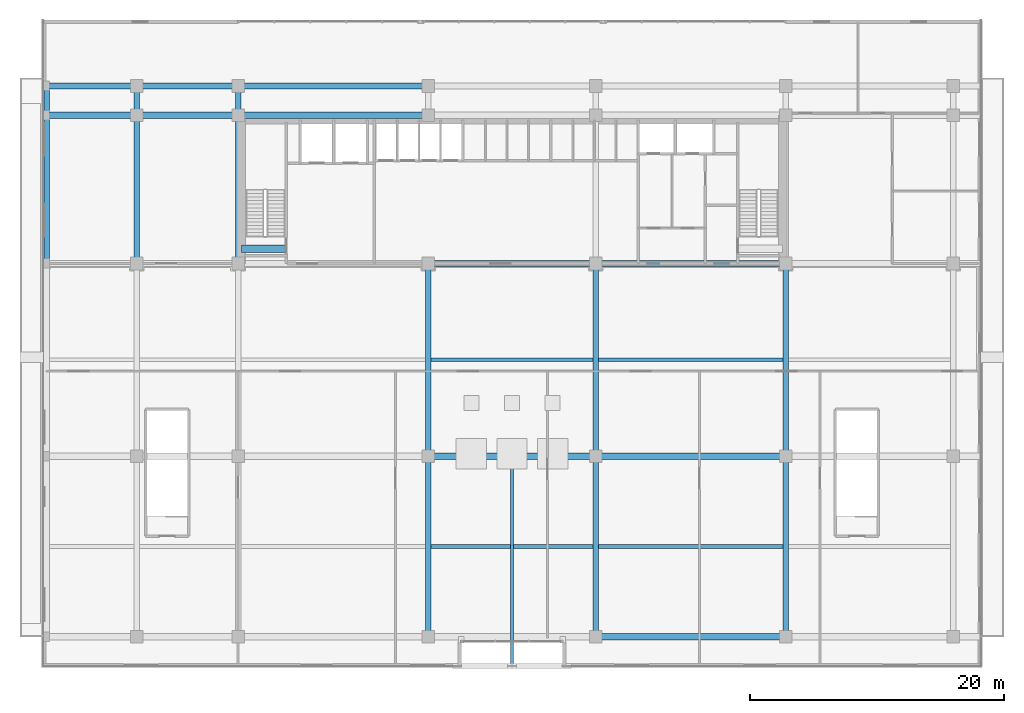
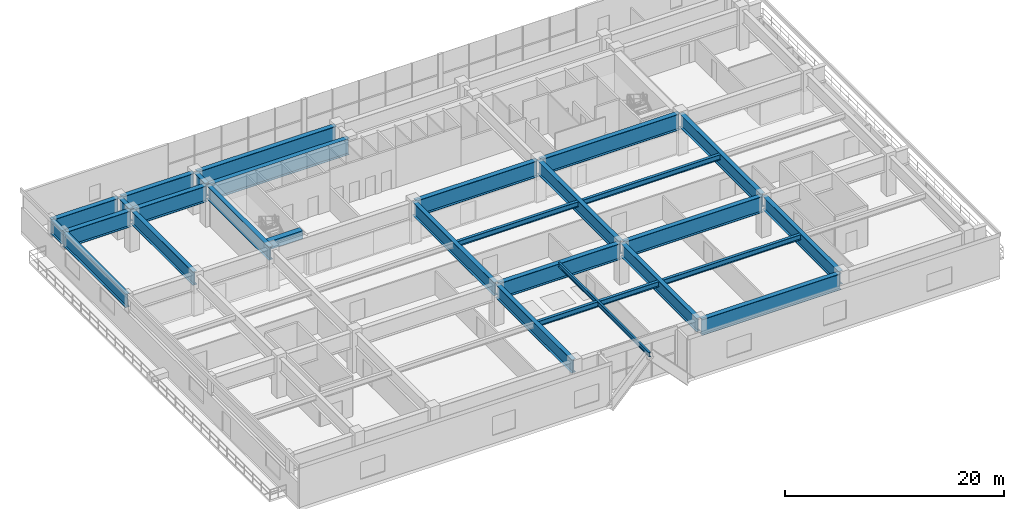
# One storey, part 3 of 17: 29 beams.
"""IFC4 building model written with IfcOpenShell, lengths in metres."""

from ifc_helpers import new_model, si_unit, direction, frame, origin, origin_2d, place, context, subcontext, project, spatial, rectangle, i_section, extrude, source, transform, mapped, material, material_profile, profile_set, type_object, element, save


model = new_model("IFC4")

# Units and contexts
model_context = context("Model", 3, precision=1e-05, world=origin(), true_north=direction((0.0, 1.0)))
body_context = subcontext(model_context, "Body", "Model", "MODEL_VIEW")
ifc_project = project(units=[si_unit("LENGTHUNIT", "METRE"), si_unit("AREAUNIT", "SQUARE_METRE"), si_unit("VOLUMEUNIT", "CUBIC_METRE"), si_unit("PLANEANGLEUNIT", "RADIAN"), si_unit("MASSUNIT", "GRAM", prefix="KILO")], contexts=[model_context])

# Site, building, storey
site_placement = place(None, origin())
site = spatial("IfcSite", under=ifc_project, at=site_placement, CompositionType="ELEMENT")
building_placement = place(site_placement, origin())
building = spatial("IfcBuilding", under=site, at=building_placement, Name="Trelvane Seafront Commons", CompositionType="ELEMENT")
storey_placement = place(building_placement, frame((0.0, 0.0, 18.699951171875)))
storey = spatial("IfcBuildingStorey", under=building, at=storey_placement, Name="L04", CompositionType="ELEMENT", Elevation=18.699951171875)

# Beams
ifc_material_1 = material(Name="Concrete C60/75", Category="concrete")
ifc_material_profile_1 = material_profile(ifc_material_1, rectangle(XDim=0.60009765625, YDim=0.89990234375, at=origin_2d()), Name="RC-600x900")
ifc_profile_set_1 = profile_set([ifc_material_profile_1], Name="Concrete C60/75")
beam_type_1 = type_object("IfcBeamType", Name="STR-LNT-RC600x900", PredefinedType="LINTEL", material=ifc_profile_set_1)
shared_shape_1 = source(origin(), body_context, "Body", "SweptSolid", [
    extrude(rectangle(XDim=0.60009765625, YDim=0.89990234375, at=origin_2d()), origin(), (0.0, 0.0, 1.0), 3.5498046875),
])
beam_1_placement = place(storey_placement, frame((15.85009765625, 34.550048828125, 3.969970703125), z_axis=(1.0, 0.0, 0.0), x_axis=(0.0, 1.0, 0.0)))
element("IfcBeam", 1, at=beam_1_placement, inside=storey, type_object=beam_type_1, Name="L04 Core Coupling Lintel Beam CB-71", PredefinedType="LINTEL", context=body_context, shape_type="MappedRepresentation", body=[
    mapped(shared_shape_1, transform((0.0, 0.0, 0.0), x_axis=(1.0, 0.0, 0.0), y_axis=(0.0, 1.0, 0.0), z_axis=(0.0, 0.0, 1.0), scale=1.0)),
])
ifc_material_2 = material(Name="Steel SM355 (S355)", Category="steel")
ifc_material_profile_2 = material_profile(ifc_material_2, i_section(OverallWidth=0.199951171875, OverallDepth=0.5, WebThickness=0.010009765625, FlangeThickness=0.01611328125, at=origin_2d()), Name="H-500x200x10x16")
ifc_profile_set_2 = profile_set([ifc_material_profile_2], Name="Steel SM355 (S355)")
beam_type_2 = type_object("IfcBeamType", Name="STR-BM-H500", PredefinedType="BEAM", material=ifc_profile_set_2)
shared_shape_2 = source(origin(), body_context, "Body", "SweptSolid", [
    extrude(i_section(OverallWidth=0.199951171875, OverallDepth=0.5, WebThickness=0.010009765625, FlangeThickness=0.01611328125, at=origin_2d()), origin(), (0.0, 0.0, 1.0), 16.64990234375),
])
beam_2_placement = place(storey_placement, frame((37.199951171875, 18.199951171875, 4.170166015625), z_axis=(0.0, -1.0, 0.0), x_axis=(1.0, 0.0, 0.0)))
element("IfcBeam", 2, at=beam_2_placement, inside=storey, type_object=beam_type_2, Name="L04 Inverted-V Portal Tie Cantilever Girder G-73", PredefinedType="BEAM", context=body_context, shape_type="MappedRepresentation", body=[
    mapped(shared_shape_2, transform((0.0, 0.0, 0.0), x_axis=(1.0, 0.0, 0.0), y_axis=(0.0, 1.0, 0.0), z_axis=(0.0, 0.0, 1.0), scale=1.0)),
])
ifc_material_profile_3 = material_profile(ifc_material_2, i_section(OverallWidth=0.5, OverallDepth=1.800048828125, WebThickness=0.02392578125, FlangeThickness=0.0400390625, at=origin_2d()), Name="W-1800x500x24x40")
ifc_profile_set_3 = profile_set([ifc_material_profile_3], Name="Steel SM355 (S355)")
beam_type_3 = type_object("IfcBeamType", Name="STR-TRG-W1800", PredefinedType="BEAM", material=ifc_profile_set_3)
shared_shape_3 = source(origin(), body_context, "Body", "SweptSolid", [
    extrude(i_section(OverallWidth=0.5, OverallDepth=1.800048828125, WebThickness=0.02392578125, FlangeThickness=0.0400390625, at=origin_2d()), origin(), (0.0, 0.0, 1.0), 7.099853515625),
])
for number, where, z_axis, x_axis, name in (
    (3, (0.35009765625, 45.10009765625, 3.52001953125), (1.0, 0.0, 0.0), (0.0, 1.0, 0.0), "L04 Transfer Girder TG-19"),
    (4, (0.35009765625, 47.39990234375, 3.52001953125), (1.0, 0.0, 0.0), (0.0, 1.0, 0.0), "L04 Transfer Girder TG-25"),
):
    element("IfcBeam", number, at=place(storey_placement, frame(where, z_axis=z_axis, x_axis=x_axis)), inside=storey, type_object=beam_type_3, Name=name, PredefinedType="BEAM", context=body_context, shape_type="MappedRepresentation", body=[
        mapped(shared_shape_3, transform((0.0, 0.0, 0.0), x_axis=(1.0, 0.0, 0.0), y_axis=(0.0, 1.0, 0.0), z_axis=(0.0, 0.0, 1.0), scale=1.0)),
    ])
shared_shape_4 = source(origin(), body_context, "Body", "SweptSolid", [
    extrude(i_section(OverallWidth=0.5, OverallDepth=1.800048828125, WebThickness=0.02392578125, FlangeThickness=0.0400390625, at=origin_2d()), origin(), (0.0, 0.0, 1.0), 7.699951171875),
])
for number, where, z_axis, x_axis, name in (
    (5, (7.75, 45.10009765625, 3.52001953125), (1.0, 0.0, 0.0), (0.0, 1.0, 0.0), "L04 Transfer Girder TG-20"),
    (6, (7.75, 47.39990234375, 3.52001953125), (1.0, 0.0, 0.0), (0.0, 1.0, 0.0), "L04 Transfer Girder TG-26"),
):
    element("IfcBeam", number, at=place(storey_placement, frame(where, z_axis=z_axis, x_axis=x_axis)), inside=storey, type_object=beam_type_3, Name=name, PredefinedType="BEAM", context=body_context, shape_type="MappedRepresentation", body=[
        mapped(shared_shape_4, transform((0.0, 0.0, 0.0), x_axis=(1.0, 0.0, 0.0), y_axis=(0.0, 1.0, 0.0), z_axis=(0.0, 0.0, 1.0), scale=1.0)),
    ])
shared_shape_5 = source(origin(), body_context, "Body", "SweptSolid", [
    extrude(i_section(OverallWidth=0.5, OverallDepth=1.800048828125, WebThickness=0.02392578125, FlangeThickness=0.0400390625, at=origin_2d()), origin(), (0.0, 0.0, 1.0), 14.699951171875),
])
for number, where, z_axis, x_axis, name in (
    (7, (43.949951171875, 3.949951171875, 3.52001953125), (1.0, 0.0, 0.0), (0.0, 1.0, 0.0), "L04 Transfer Girder TG-05"),
    (8, (43.949951171875, 18.199951171875, 3.52001953125), (1.0, 0.0, 0.0), (0.0, 1.0, 0.0), "L04 Transfer Girder TG-11"),
    (9, (43.949951171875, 33.39990234375, 3.52001953125), (1.0, 0.0, 0.0), (0.0, 1.0, 0.0), "L04 Transfer Girder TG-17"),
    (10, (15.75, 45.10009765625, 3.52001953125), (1.0, 0.0, 0.0), (0.0, 1.0, 0.0), "L04 Transfer Girder TG-21"),
    (11, (15.75, 47.39990234375, 3.52001953125), (1.0, 0.0, 0.0), (0.0, 1.0, 0.0), "L04 Transfer Girder TG-27"),
):
    element("IfcBeam", number, at=place(storey_placement, frame(where, z_axis=z_axis, x_axis=x_axis)), inside=storey, type_object=beam_type_3, Name=name, PredefinedType="BEAM", context=body_context, shape_type="MappedRepresentation", body=[
        mapped(shared_shape_5, transform((0.0, 0.0, 0.0), x_axis=(1.0, 0.0, 0.0), y_axis=(0.0, 1.0, 0.0), z_axis=(0.0, 0.0, 1.0), scale=1.0)),
    ])
shared_shape_6 = source(origin(), body_context, "Body", "SweptSolid", [
    extrude(i_section(OverallWidth=0.5, OverallDepth=1.800048828125, WebThickness=0.02392578125, FlangeThickness=0.0400390625, at=origin_2d()), origin(), (0.0, 0.0, 1.0), 12.89990234375),
])
for number, where, z_axis, x_axis, name in (
    (12, (30.75, 18.199951171875, 3.52001953125), (1.0, 0.0, 0.0), (0.0, 1.0, 0.0), "L04 Transfer Girder TG-10"),
    (13, (30.75, 33.39990234375, 3.52001953125), (1.0, 0.0, 0.0), (0.0, 1.0, 0.0), "L04 Transfer Girder TG-16"),
):
    element("IfcBeam", number, at=place(storey_placement, frame(where, z_axis=z_axis, x_axis=x_axis)), inside=storey, type_object=beam_type_3, Name=name, PredefinedType="BEAM", context=body_context, shape_type="MappedRepresentation", body=[
        mapped(shared_shape_6, transform((0.0, 0.0, 0.0), x_axis=(1.0, 0.0, 0.0), y_axis=(0.0, 1.0, 0.0), z_axis=(0.0, 0.0, 1.0), scale=1.0)),
    ])
ifc_material_profile_4 = material_profile(ifc_material_2, i_section(OverallWidth=0.449951171875, OverallDepth=1.5, WebThickness=0.02197265625, FlangeThickness=0.0380859375, at=origin_2d()), Name="W-1500x450x22x38")
ifc_profile_set_4 = profile_set([ifc_material_profile_4], Name="Steel SM355 (S355)")
beam_type_4 = type_object("IfcBeamType", Name="STR-TRG-W1500", PredefinedType="BEAM", material=ifc_profile_set_4)
shared_shape_7 = source(origin(), body_context, "Body", "SweptSolid", [
    extrude(i_section(OverallWidth=0.449951171875, OverallDepth=1.5, WebThickness=0.02197265625, FlangeThickness=0.0380859375, at=origin_2d()), origin(), (0.0, 0.0, 1.0), 13.949951171875),
])
for number, where, z_axis, x_axis, name in (
    (14, (30.60009765625, 4.10009765625, 3.670166015625), (0.0, 1.0, 0.0), (-1.0, 0.0, 0.0), "L04 Transfer Girder TG-43"),
    (15, (43.800048828125, 4.10009765625, 3.670166015625), (0.0, 1.0, 0.0), (-1.0, 0.0, 0.0), "L04 Transfer Girder TG-47"),
    (16, (58.800048828125, 4.10009765625, 3.670166015625), (0.0, 1.0, 0.0), (-1.0, 0.0, 0.0), "L04 Transfer Girder TG-51"),
):
    element("IfcBeam", number, at=place(storey_placement, frame(where, z_axis=z_axis, x_axis=x_axis)), inside=storey, type_object=beam_type_4, Name=name, PredefinedType="BEAM", context=body_context, shape_type="MappedRepresentation", body=[
        mapped(shared_shape_7, transform((0.0, 0.0, 0.0), x_axis=(1.0, 0.0, 0.0), y_axis=(0.0, 1.0, 0.0), z_axis=(0.0, 0.0, 1.0), scale=1.0)),
    ])
shared_shape_8 = source(origin(), body_context, "Body", "SweptSolid", [
    extrude(i_section(OverallWidth=0.449951171875, OverallDepth=1.5, WebThickness=0.02197265625, FlangeThickness=0.0380859375, at=origin_2d()), origin(), (0.0, 0.0, 1.0), 14.89990234375),
])
for number, where, z_axis, x_axis, name in (
    (17, (30.60009765625, 18.35009765625, 3.670166015625), (0.0, 1.0, 0.0), (-1.0, 0.0, 0.0), "L04 Transfer Girder TG-44"),
    (18, (43.800048828125, 18.35009765625, 3.670166015625), (0.0, 1.0, 0.0), (-1.0, 0.0, 0.0), "L04 Transfer Girder TG-48"),
    (19, (58.800048828125, 18.35009765625, 3.670166015625), (0.0, 1.0, 0.0), (-1.0, 0.0, 0.0), "L04 Transfer Girder TG-52"),
):
    element("IfcBeam", number, at=place(storey_placement, frame(where, z_axis=z_axis, x_axis=x_axis)), inside=storey, type_object=beam_type_4, Name=name, PredefinedType="BEAM", context=body_context, shape_type="MappedRepresentation", body=[
        mapped(shared_shape_8, transform((0.0, 0.0, 0.0), x_axis=(1.0, 0.0, 0.0), y_axis=(0.0, 1.0, 0.0), z_axis=(0.0, 0.0, 1.0), scale=1.0)),
    ])
shared_shape_9 = source(origin(), body_context, "Body", "SweptSolid", [
    extrude(i_section(OverallWidth=0.449951171875, OverallDepth=1.5, WebThickness=0.02197265625, FlangeThickness=0.0380859375, at=origin_2d()), origin(), (0.0, 0.0, 1.0), 11.39990234375),
])
for number, where, z_axis, x_axis, name in (
    (20, (0.5, 33.550048828125, 3.670166015625), (0.0, 1.0, 0.0), (-1.0, 0.0, 0.0), "L04 Transfer Girder TG-33"),
    (21, (7.60009765625, 33.550048828125, 3.670166015625), (0.0, 1.0, 0.0), (-1.0, 0.0, 0.0), "L04 Transfer Girder TG-37"),
    (22, (15.60009765625, 33.550048828125, 3.670166015625), (0.0, 1.0, 0.0), (-1.0, 0.0, 0.0), "L04 Transfer Girder TG-41"),
):
    element("IfcBeam", number, at=place(storey_placement, frame(where, z_axis=z_axis, x_axis=x_axis)), inside=storey, type_object=beam_type_4, Name=name, PredefinedType="BEAM", context=body_context, shape_type="MappedRepresentation", body=[
        mapped(shared_shape_9, transform((0.0, 0.0, 0.0), x_axis=(1.0, 0.0, 0.0), y_axis=(0.0, 1.0, 0.0), z_axis=(0.0, 0.0, 1.0), scale=1.0)),
    ])
shared_shape_10 = source(origin(), body_context, "Body", "SweptSolid", [
    extrude(i_section(OverallWidth=0.449951171875, OverallDepth=1.5, WebThickness=0.02197265625, FlangeThickness=0.0380859375, at=origin_2d()), origin(), (0.0, 0.0, 1.0), 2.0),
])
for number, where, z_axis, x_axis, name in (
    (23, (0.5, 45.25, 3.670166015625), (0.0, 1.0, 0.0), (-1.0, 0.0, 0.0), "L04 Transfer Girder TG-34"),
    (24, (7.60009765625, 45.25, 3.670166015625), (0.0, 1.0, 0.0), (-1.0, 0.0, 0.0), "L04 Transfer Girder TG-38"),
    (25, (15.60009765625, 45.25, 3.670166015625), (0.0, 1.0, 0.0), (-1.0, 0.0, 0.0), "L04 Transfer Girder TG-42"),
):
    element("IfcBeam", number, at=place(storey_placement, frame(where, z_axis=z_axis, x_axis=x_axis)), inside=storey, type_object=beam_type_4, Name=name, PredefinedType="BEAM", context=body_context, shape_type="MappedRepresentation", body=[
        mapped(shared_shape_10, transform((0.0, 0.0, 0.0), x_axis=(1.0, 0.0, 0.0), y_axis=(0.0, 1.0, 0.0), z_axis=(0.0, 0.0, 1.0), scale=1.0)),
    ])
ifc_material_profile_5 = material_profile(ifc_material_2, i_section(OverallWidth=0.300048828125, OverallDepth=0.587890625, WebThickness=0.011962890625, FlangeThickness=0.02001953125, at=origin_2d()), Name="H-588x300x12x20")
ifc_profile_set_5 = profile_set([ifc_material_profile_5], Name="Steel SM355 (S355)")
beam_type_5 = type_object("IfcBeamType", Name="STR-BM-H588", PredefinedType="BEAM", material=ifc_profile_set_5)
shared_shape_11 = source(origin(), body_context, "Body", "SweptSolid", [
    extrude(i_section(OverallWidth=0.300048828125, OverallDepth=0.587890625, WebThickness=0.011962890625, FlangeThickness=0.02001953125, at=origin_2d()), origin(), (0.0, 0.0, 1.0), 14.550048828125),
])
for number, where, z_axis, x_axis, name in (
    (26, (44.02490234375, 11.074951171875, 4.1259765625), (1.0, 0.0, 0.0), (0.0, 1.0, 0.0), "L04 Secondary Floor Joist B-63"),
    (27, (44.02490234375, 25.800048828125, 4.1259765625), (1.0, 0.0, 0.0), (0.0, 1.0, 0.0), "L04 Secondary Floor Joist B-69"),
):
    element("IfcBeam", number, at=place(storey_placement, frame(where, z_axis=z_axis, x_axis=x_axis)), inside=storey, type_object=beam_type_5, Name=name, PredefinedType="BEAM", context=body_context, shape_type="MappedRepresentation", body=[
        mapped(shared_shape_11, transform((0.0, 0.0, 0.0), x_axis=(1.0, 0.0, 0.0), y_axis=(0.0, 1.0, 0.0), z_axis=(0.0, 0.0, 1.0), scale=1.0)),
    ])
shared_shape_12 = source(origin(), body_context, "Body", "SweptSolid", [
    extrude(i_section(OverallWidth=0.300048828125, OverallDepth=0.587890625, WebThickness=0.011962890625, FlangeThickness=0.02001953125, at=origin_2d()), origin(), (0.0, 0.0, 1.0), 12.75),
])
for number, where, z_axis, x_axis, name in (
    (28, (30.824951171875, 11.074951171875, 4.1259765625), (1.0, 0.0, 0.0), (0.0, 1.0, 0.0), "L04 Secondary Floor Joist B-62"),
    (29, (30.824951171875, 25.800048828125, 4.1259765625), (1.0, 0.0, 0.0), (0.0, 1.0, 0.0), "L04 Secondary Floor Joist B-68"),
):
    element("IfcBeam", number, at=place(storey_placement, frame(where, z_axis=z_axis, x_axis=x_axis)), inside=storey, type_object=beam_type_5, Name=name, PredefinedType="BEAM", context=body_context, shape_type="MappedRepresentation", body=[
        mapped(shared_shape_12, transform((0.0, 0.0, 0.0), x_axis=(1.0, 0.0, 0.0), y_axis=(0.0, 1.0, 0.0), z_axis=(0.0, 0.0, 1.0), scale=1.0)),
    ])

save(model, "model.ifc")
